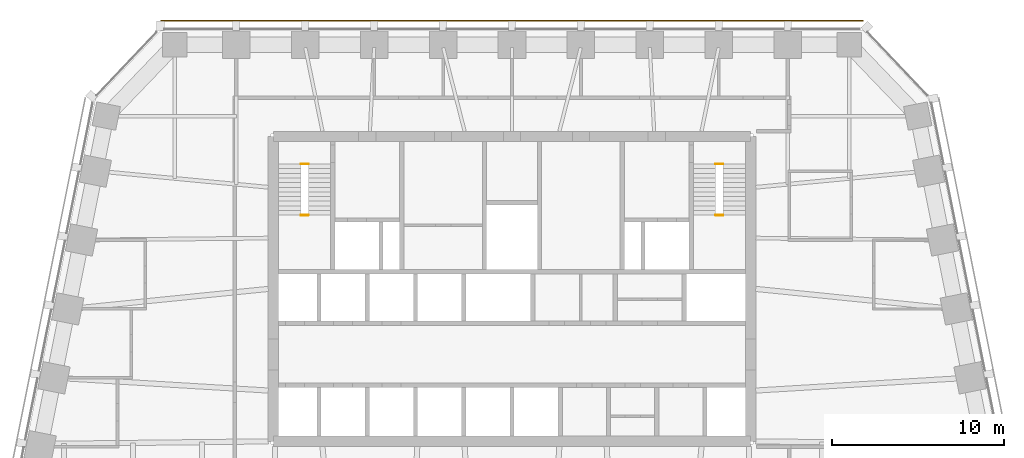
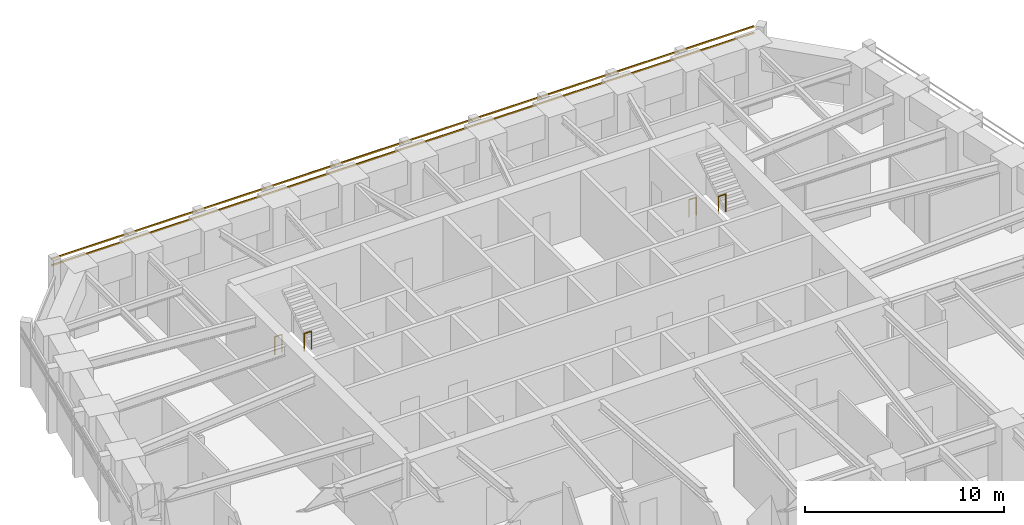
# One storey, part 10 of 10: 4 railings, 2 shading devices.
"""IFC4 building model written with IfcOpenShell, lengths in metres."""

from ifc_helpers import new_model, si_unit, direction, frame, origin, origin_2d, place, context, subcontext, project, spatial, rectangle, circle, extrude, material, material_profile, profile_set, type_object, element, save


model = new_model("IFC4")

# Units and contexts
model_context = context("Model", 3, precision=1e-05, world=origin(), true_north=direction((0.0, 1.0)))
body_context = subcontext(model_context, "Body", "Model", "MODEL_VIEW")
ifc_project = project(units=[si_unit("LENGTHUNIT", "METRE"), si_unit("AREAUNIT", "SQUARE_METRE"), si_unit("VOLUMEUNIT", "CUBIC_METRE"), si_unit("PLANEANGLEUNIT", "RADIAN"), si_unit("MASSUNIT", "GRAM", prefix="KILO")], contexts=[model_context])

# Site, building, storey
site_placement = place(None, origin())
site = spatial("IfcSite", under=ifc_project, at=site_placement, CompositionType="ELEMENT")
building_placement = place(site_placement, origin())
building = spatial("IfcBuilding", under=site, at=building_placement, Name="Isbrekke Arena Tower", CompositionType="ELEMENT")
storey_placement = place(building_placement, frame((0.0, 0.0, 230.0)))
storey = spatial("IfcBuildingStorey", under=building, at=storey_placement, Name="L53", CompositionType="ELEMENT", Elevation=230.0)

# Shading devices
ifc_material_1 = material(Name="Terracotta", Category="masonry")
ifc_material_profile = material_profile(ifc_material_1, rectangle(XDim=0.06005859375, YDim=0.06005859375, at=origin_2d()), Name="BAGUETTE 60X60")
ifc_profile_set = profile_set([ifc_material_profile], Name="Terracotta")
shading_device_type = type_object("IfcShadingDeviceType", Name="BG1 TERRACOTTA BAGUETTE 60 x 60", PredefinedType="USERDEFINED", material=ifc_profile_set)
for number, where, z_axis, x_axis, name in (
    (1, (20.39990234375, 30.580078125, 3.280029296875), (-1.0, 0.0, 0.0), (0.0, -1.0, 0.0), "BG1 terracotta baguette N1 L53"),
    (2, (20.39990234375, 30.580078125, 3.679931640625), (-1.0, 0.0, 0.0), (0.0, -1.0, 0.0), "BG1 terracotta baguette N2 L53"),
):
    element("IfcShadingDevice", number, at=place(storey_placement, frame(where, z_axis=z_axis, x_axis=x_axis)), inside=storey, type_object=shading_device_type, Name=name, ObjectType="TERRACOTTA BAGUETTE", PredefinedType="USERDEFINED", context=body_context, shape_type="SweptSolid", body=[
        extrude(rectangle(XDim=0.06005859375, YDim=0.06005859375, at=origin_2d()), origin(), (0.0, 0.0, 1.0), 40.7998046875),
    ])

# Railings
ifc_material_2 = material(Name="Steel stair guard, vertical bars, steel handrail", Category="steel")
railing_type = type_object("IfcRailingType", Name="GR3 STAIR WELL GUARD 1100", PredefinedType="GUARDRAIL", material=ifc_material_2)
for number, where, name in (
    (3, (-12.25, 22.25, 0.0), "GR3 stair well guard ST1 L53"),
    (4, (-12.25, 19.280029296875, 2.0), "GR3 stair well guard ST1 L53"),
    (5, (11.824951171875, 22.25, 0.0), "GR3 stair well guard ST2 L53"),
    (6, (11.824951171875, 19.280029296875, 2.0), "GR3 stair well guard ST2 L53"),
):
    element("IfcRailing", number, at=place(storey_placement, frame(where)), inside=storey, type_object=railing_type, Name=name, PredefinedType="GUARDRAIL", context=body_context, shape_type="SweptSolid", body=[
        extrude(circle(Radius=0.02392578125, at=origin_2d()), frame((0.0, 0.0, 1.076171875), z_axis=(1.0, 0.0, 0.0), x_axis=(0.0, 1.0, 0.0)), (0.0, 0.0, 1.0), 0.425048828125),
        extrude(circle(Radius=0.02099609375, at=origin_2d()), origin(), (0.0, 0.0, 1.0), 1.052001953125),
        extrude(circle(Radius=0.02099609375, at=origin_2d()), frame((0.425048828125, 0.0, 0.0)), (0.0, 0.0, 1.0), 1.052001953125),
    ])

save(model, "model.ifc")
